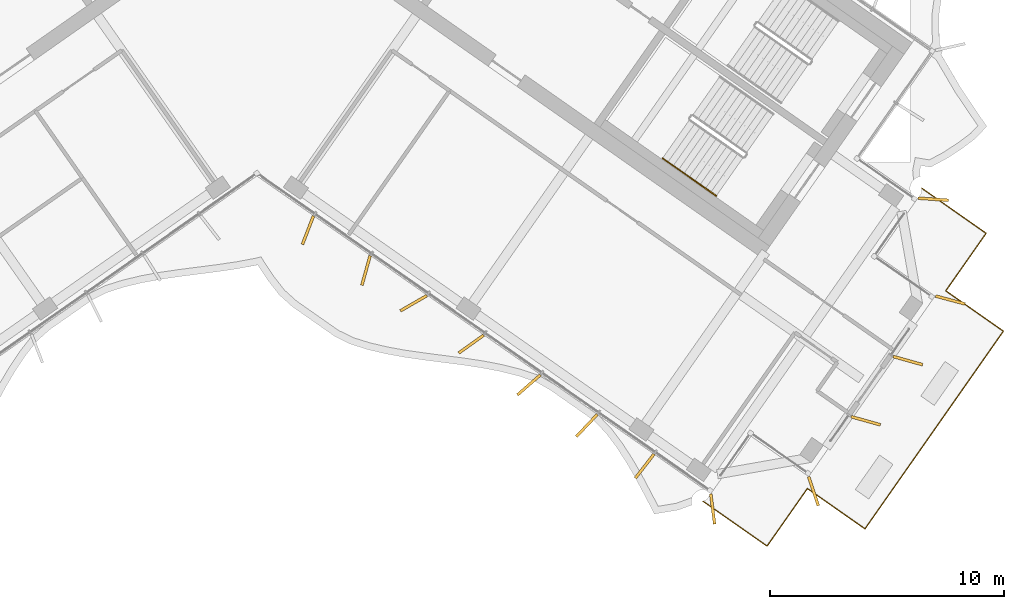
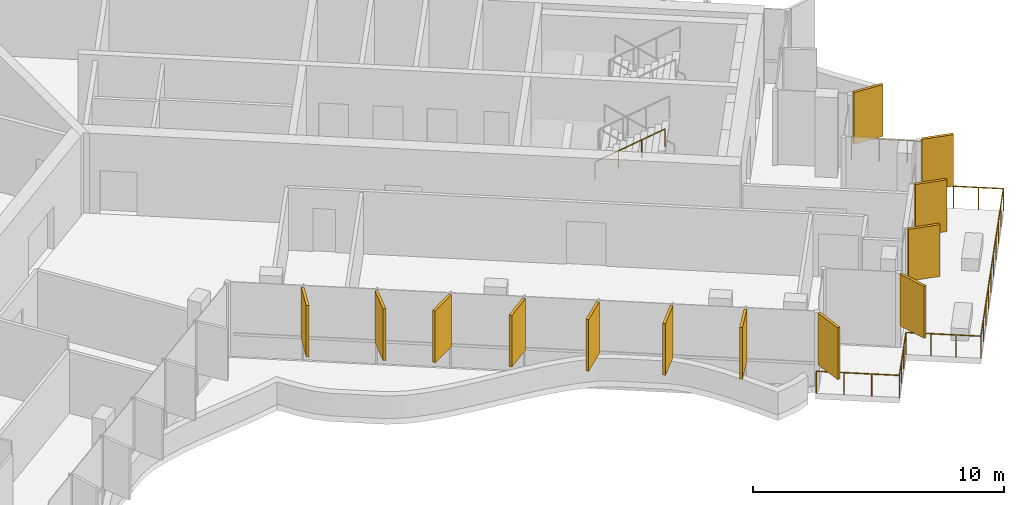
# One storey, part 15 of 18: 13 shading devices, 2 railings.
"""IFC4 building model written with IfcOpenShell, lengths in metres."""

from ifc_helpers import new_model, si_unit, direction, frame, origin, origin_2d, place, context, subcontext, project, spatial, rectangle, circle, extrude, material, layer, layer_set, type_object, element, save


model = new_model("IFC4")

# Units and contexts
model_context = context("Model", 3, precision=1e-05, world=origin(), true_north=direction((0.0, 1.0)))
body_context = subcontext(model_context, "Body", "Model", "MODEL_VIEW")
ifc_project = project(units=[si_unit("LENGTHUNIT", "METRE"), si_unit("AREAUNIT", "SQUARE_METRE"), si_unit("VOLUMEUNIT", "CUBIC_METRE"), si_unit("PLANEANGLEUNIT", "RADIAN"), si_unit("MASSUNIT", "GRAM", prefix="KILO")], contexts=[model_context])

# Site, building, storey
site_placement = place(None, origin())
site = spatial("IfcSite", under=ifc_project, at=site_placement, CompositionType="ELEMENT")
building_placement = place(site_placement, origin())
building = spatial("IfcBuilding", under=site, at=building_placement, Name="Tel Ilan Convention Tower", CompositionType="ELEMENT")
storey_placement = place(building_placement, frame((0.0, 0.0, 272.199951171875)))
storey = spatial("IfcBuildingStorey", under=building, at=storey_placement, Name="L64", CompositionType="ELEMENT", Elevation=272.199951171875)

# Shading devices
ifc_material_1 = material(Name="Aluminium, bronze anodised", Category="aluminium")
ifc_layer = layer(ifc_material_1, 0.1201171875)
ifc_layer_set = layer_set([ifc_layer], Name="FIN BRONZE 1300x120")
shading_device_type = type_object("IfcShadingDeviceType", Name="FIN BRONZE 1300x120", PredefinedType="USERDEFINED", material=ifc_layer_set)
for number, where, z_axis, x_axis, name in (
    (1, (25.98876953125, -23.26416015625, 1.10009765625), (0.0, 0.0, 1.0), (0.963370878614, -0.268172612768, 0.0), "FIN"),
    (2, (27.785888671875, -20.697265625, 1.10009765625), (0.0, 0.0, 1.0), (0.963370878614, -0.268172612768, 0.0), "FIN"),
    (3, (29.59326171875, -18.109130859375, 1.10009765625), (0.0, 0.0, 1.0), (0.965925826289, -0.258819045103, 0.0), "FIN"),
    (4, (28.866455078125, -13.80859375, 1.10009765625), (0.0, 0.0, 1.0), (0.997697449973, -0.067821812994, 0.0), "FIN"),
    (5, (2.17919921875, -15.13134765625, 1.10009765625), (0.0, 0.0, 1.0), (-0.360177724803, -0.932883704733, 0.0), "FIN"),
    (6, (4.6572265625, -16.851318359375, 1.10009765625), (0.0, 0.0, 1.0), (-0.268172612768, -0.963370878614, 0.0), "FIN"),
    (7, (6.68701171875, -18.25, 1.10009765625), (0.0, 0.0, 1.0), (-0.866025403784, -0.5, 0.0), "FIN"),
    (8, (9.1455078125, -19.993896484375, 1.10009765625), (0.0, 0.0, 1.0), (-0.813552070258, -0.581492071294, 0.0), "FIN"),
    (9, (11.609375, -21.734375, 1.10009765625), (0.0, 0.0, 1.0), (-0.753435896329, -0.657521368568, 0.0), "FIN"),
    (10, (14.07763671875, -23.470458984375, 1.10009765625), (0.0, 0.0, 1.0), (-0.686241637865, -0.727373641577, 0.0), "FIN"),
    (11, (16.55029296875, -25.2021484375, 1.10009765625), (0.0, 0.0, 1.0), (-0.612600545196, -0.790392669516, 0.0), "FIN"),
    (12, (19.453369140625, -27.029296875, 1.10009765625), (0.0, 0.0, 1.0), (0.125718016748, -0.992066016082, 0.0), "FIN"),
    (13, (23.755126953125, -26.270263671875, 1.10009765625), (0.0, 0.0, 1.0), (0.314544756146, -0.949242643575, 0.0), "FIN"),
):
    element("IfcShadingDevice", number, at=place(storey_placement, frame(where, z_axis=z_axis, x_axis=x_axis)), inside=storey, type_object=shading_device_type, Name=name, ObjectType="FIN", PredefinedType="USERDEFINED", context=body_context, shape_type="SweptSolid", body=[
        extrude(rectangle(XDim=1.300048828125, YDim=0.1201171875, at=origin_2d()), origin(), (0.0, 0.0, 1.0), 2.52001953125),
    ])

# Railings
ifc_material_2 = material(Name="Stainless Steel Grade 316", Category="steel")
railing_type_1 = type_object("IfcRailingType", Name="Stainless Steel Stair Handrail 900 mm", PredefinedType="HANDRAIL", material=ifc_material_2)
railing_1_placement = place(storey_placement, frame((17.312744140625, -12.0615234375, 2.12744140625)))
element("IfcRailing", 14, at=railing_1_placement, inside=storey, type_object=railing_type_1, Name="L64 S4 stair handrail 2", PredefinedType="HANDRAIL", context=body_context, shape_type="SweptSolid", body=[
    extrude(circle(Radius=0.02392578125, at=origin_2d()), frame((0.0, 0.0, 0.8759765625), z_axis=(0.692123088272, -0.484596665743, 0.534912798717), x_axis=(0.573550118428, 0.819170471667, 0.0)), (0.0, 0.0, 1.0), 3.31396484375),
    extrude(circle(Radius=0.02099609375, at=origin_2d()), origin(), (0.0, 0.0, 1.0), 0.851806640625),
    extrude(circle(Radius=0.02099609375, at=origin_2d()), frame((0.7646484375, -0.535400390625, 0.5908203125)), (0.0, 0.0, 1.0), 0.851806640625),
    extrude(circle(Radius=0.02099609375, at=origin_2d()), frame((1.529052734375, -1.070556640625, 1.181884765625)), (0.0, 0.0, 1.0), 0.851806640625),
    extrude(circle(Radius=0.02099609375, at=origin_2d()), frame((2.293701171875, -1.60595703125, 1.772705078125)), (0.0, 0.0, 1.0), 0.851806640625),
])
ifc_material_3 = material(Name="Stainless steel S316", Category="steel")
railing_type_2 = type_object("IfcRailingType", Name="TERRACE GUARD 1100", PredefinedType="GUARDRAIL", material=ifc_material_3)
railing_2_placement = place(storey_placement, frame((28.3798828125, -13.3408203125, 0.0)))
element("IfcRailing", 15, at=railing_2_placement, inside=storey, type_object=railing_type_2, Name="Terrace guard 49.01", PredefinedType="GUARDRAIL", context=body_context, shape_type="SweptSolid", body=[
    extrude(circle(Radius=0.02490234375, at=origin_2d()), frame((0.0, 0.0, 1.0751953125), z_axis=(0.819177143849, -0.573540588795, 0.0), x_axis=(0.573540588795, 0.819177143849, 0.0)), (0.0, 0.0, 1.0), 3.3505859375),
    extrude(circle(Radius=0.02490234375, at=origin_2d()), frame((2.74462890625, -1.921630859375, 1.0751953125), z_axis=(-0.573560650686, -0.819163097304, 0.0), x_axis=(0.819163097304, -0.573560650686, 0.0)), (0.0, 0.0, 1.0), 3.0),
    extrude(circle(Radius=0.02490234375, at=origin_2d()), frame((1.02392578125, -4.379150390625, 1.0751953125), z_axis=(0.819163097304, -0.573560650686, 0.0), x_axis=(0.573560650686, 0.819163097304, 0.0)), (0.0, 0.0, 1.0), 3.0),
    extrude(circle(Radius=0.02490234375, at=origin_2d()), frame((3.4814453125, -6.099853515625, 1.0751953125), z_axis=(-0.573568924163, -0.819157304329, 0.0), x_axis=(0.819157304329, -0.573568924163, 0.0)), (0.0, 0.0, 1.0), 10.2998046875),
    extrude(circle(Radius=0.02490234375, at=origin_2d()), frame((-2.42626953125, -14.537109375, 1.0751953125), z_axis=(-0.819163097304, 0.573560650686, 0.0), x_axis=(-0.573560650686, -0.819163097304, 0.0)), (0.0, 0.0, 1.0), 3.0),
    extrude(circle(Radius=0.02490234375, at=origin_2d()), frame((-4.8837890625, -12.81640625, 1.0751953125), z_axis=(-0.573560650686, -0.819163097304, 0.0), x_axis=(0.819163097304, -0.573560650686, 0.0)), (0.0, 0.0, 1.0), 3.0),
    extrude(circle(Radius=0.02490234375, at=origin_2d()), frame((-6.6044921875, -15.27392578125, 1.0751953125), z_axis=(-0.8191664715, 0.573555831607, 0.0), x_axis=(-0.573555831607, -0.8191664715, 0.0)), (0.0, 0.0, 1.0), 3.329833984375),
    extrude(circle(Radius=0.02490234375, at=origin_2d()), origin(), (0.0, 0.0, 1.0), 1.050048828125),
    extrude(circle(Radius=0.02490234375, at=origin_2d()), frame((0.914794921875, -0.640625, 0.0)), (0.0, 0.0, 1.0), 1.050048828125),
    extrude(circle(Radius=0.02490234375, at=origin_2d()), frame((1.829833984375, -1.281005859375, 0.0)), (0.0, 0.0, 1.0), 1.050048828125),
    extrude(circle(Radius=0.02490234375, at=origin_2d()), frame((2.74462890625, -1.921630859375, 0.0)), (0.0, 0.0, 1.0), 1.050048828125),
    extrude(circle(Radius=0.02490234375, at=origin_2d()), frame((2.171142578125, -2.74072265625, 0.0)), (0.0, 0.0, 1.0), 1.050048828125),
    extrude(circle(Radius=0.02490234375, at=origin_2d()), frame((1.597412109375, -3.56005859375, 0.0)), (0.0, 0.0, 1.0), 1.050048828125),
    extrude(circle(Radius=0.02490234375, at=origin_2d()), frame((1.02392578125, -4.379150390625, 0.0)), (0.0, 0.0, 1.0), 1.050048828125),
    extrude(circle(Radius=0.02490234375, at=origin_2d()), frame((1.843017578125, -4.95263671875, 0.0)), (0.0, 0.0, 1.0), 1.050048828125),
    extrude(circle(Radius=0.02490234375, at=origin_2d()), frame((2.662353515625, -5.5263671875, 0.0)), (0.0, 0.0, 1.0), 1.050048828125),
    extrude(circle(Radius=0.02490234375, at=origin_2d()), frame((3.4814453125, -6.099853515625, 0.0)), (0.0, 0.0, 1.0), 1.050048828125),
    extrude(circle(Radius=0.02490234375, at=origin_2d()), frame((2.824951171875, -7.037353515625, 0.0)), (0.0, 0.0, 1.0), 1.050048828125),
    extrude(circle(Radius=0.02490234375, at=origin_2d()), frame((2.168701171875, -7.974853515625, 0.0)), (0.0, 0.0, 1.0), 1.050048828125),
    extrude(circle(Radius=0.02490234375, at=origin_2d()), frame((1.51220703125, -8.912353515625, 0.0)), (0.0, 0.0, 1.0), 1.050048828125),
    extrude(circle(Radius=0.02490234375, at=origin_2d()), frame((0.855712890625, -9.849853515625, 0.0)), (0.0, 0.0, 1.0), 1.050048828125),
    extrude(circle(Radius=0.02490234375, at=origin_2d()), frame((0.199462890625, -10.787109375, 0.0)), (0.0, 0.0, 1.0), 1.050048828125),
    extrude(circle(Radius=0.02490234375, at=origin_2d()), frame((-0.45703125, -11.724609375, 0.0)), (0.0, 0.0, 1.0), 1.050048828125),
    extrude(circle(Radius=0.02490234375, at=origin_2d()), frame((-1.113525390625, -12.662109375, 0.0)), (0.0, 0.0, 1.0), 1.050048828125),
    extrude(circle(Radius=0.02490234375, at=origin_2d()), frame((-1.769775390625, -13.599609375, 0.0)), (0.0, 0.0, 1.0), 1.050048828125),
    extrude(circle(Radius=0.02490234375, at=origin_2d()), frame((-2.42626953125, -14.537109375, 0.0)), (0.0, 0.0, 1.0), 1.050048828125),
    extrude(circle(Radius=0.02490234375, at=origin_2d()), frame((-3.245361328125, -13.963623046875, 0.0)), (0.0, 0.0, 1.0), 1.050048828125),
    extrude(circle(Radius=0.02490234375, at=origin_2d()), frame((-4.064697265625, -13.389892578125, 0.0)), (0.0, 0.0, 1.0), 1.050048828125),
    extrude(circle(Radius=0.02490234375, at=origin_2d()), frame((-4.8837890625, -12.81640625, 0.0)), (0.0, 0.0, 1.0), 1.050048828125),
    extrude(circle(Radius=0.02490234375, at=origin_2d()), frame((-5.457275390625, -13.635498046875, 0.0)), (0.0, 0.0, 1.0), 1.050048828125),
    extrude(circle(Radius=0.02490234375, at=origin_2d()), frame((-6.031005859375, -14.454833984375, 0.0)), (0.0, 0.0, 1.0), 1.050048828125),
    extrude(circle(Radius=0.02490234375, at=origin_2d()), frame((-6.6044921875, -15.27392578125, 0.0)), (0.0, 0.0, 1.0), 1.050048828125),
    extrude(circle(Radius=0.02490234375, at=origin_2d()), frame((-7.513671875, -14.63720703125, 0.0)), (0.0, 0.0, 1.0), 1.050048828125),
    extrude(circle(Radius=0.02490234375, at=origin_2d()), frame((-8.423095703125, -14.000732421875, 0.0)), (0.0, 0.0, 1.0), 1.050048828125),
    extrude(circle(Radius=0.02490234375, at=origin_2d()), frame((-9.332275390625, -13.364013671875, 0.0)), (0.0, 0.0, 1.0), 1.050048828125),
])

save(model, "model.ifc")
